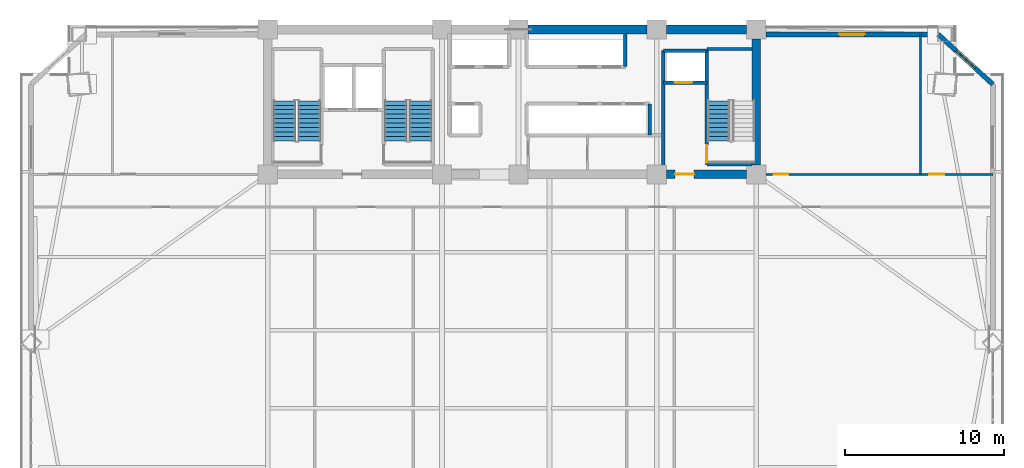
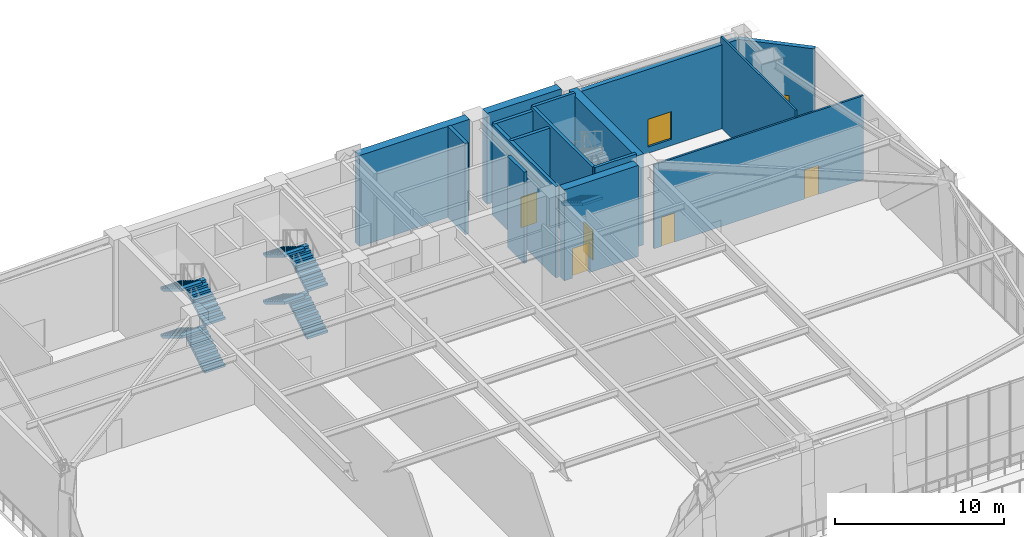
# One storey, part 16 of 22: 16 walls, 9 stair flights, 5 doors, 2 windows, 7 openings, 3 elements without a shape of their own.
"""IFC4 building model written with IfcOpenShell, lengths in metres."""

from ifc_helpers import new_model, si_unit, direction, frame, frame_2d, origin, place, context, subcontext, project, spatial, polyline, rectangle, outline, extrude, source, transform, mapped, material, layer, layer_set, type_object, element, fill, aggregate, save


model = new_model("IFC4")

# Units and contexts
model_context = context("Model", 3, precision=1e-05, world=origin(), true_north=direction((0.0, 1.0)))
body_context = subcontext(model_context, "Body", "Model", "MODEL_VIEW")
ifc_project = project(units=[si_unit("LENGTHUNIT", "METRE"), si_unit("AREAUNIT", "SQUARE_METRE"), si_unit("VOLUMEUNIT", "CUBIC_METRE"), si_unit("PLANEANGLEUNIT", "RADIAN"), si_unit("MASSUNIT", "GRAM", prefix="KILO")], contexts=[model_context])

# Site, building, storey
site_placement = place(None, origin())
site = spatial("IfcSite", under=ifc_project, at=site_placement, CompositionType="ELEMENT")
building_placement = place(site_placement, origin())
building = spatial("IfcBuilding", under=site, at=building_placement, Name="Giltprow Tower", CompositionType="ELEMENT")
storey_placement = place(building_placement, frame((0.0, 0.0, 130.89990234375)))
storey = spatial("IfcBuildingStorey", under=building, at=storey_placement, Name="L32", CompositionType="ELEMENT", Elevation=130.89990234375)

# Wall, opening, window
ifc_material_1 = material(Name="Precast concrete C40", Category="concrete")
ifc_layer_1 = layer(ifc_material_1, 0.300048828125, Name="Precast concrete C40")
ifc_layer_set_1 = layer_set([ifc_layer_1], Name="Precast concrete C40")
wall_type_1 = type_object("IfcWallType", Name="EW-NOTCH-CHAMFER-300", PredefinedType="SOLIDWALL", material=ifc_layer_set_1)
wall_1_placement = place(storey_placement, frame((65.4208984375, 43.10888671875, 0.0), z_axis=(0.0, 0.0, 1.0), x_axis=(-0.738549020912, 0.674199780265, 0.0)))
wall_1 = element("IfcWall", 1, at=wall_1_placement, inside=storey, type_object=wall_type_1, Name="L32 Corner Notch Wall NE", PredefinedType="SOLIDWALL", context=body_context, shape_type="SweptSolid", body=[
    extrude(rectangle(XDim=4.658935546875, YDim=0.300048828125, at=frame_2d((2.32958984375, 0.0))), origin(), (0.0, 0.0, 1.0), 6.050048828125),
])
opening_1_placement = place(wall_1_placement, frame((1.530029296875, 0.0, 0.449951171875)))
opening_1 = element("IfcOpeningElement", 2, at=opening_1_placement, cuts=wall_1, Name="Opening WN17", PredefinedType="OPENING", context=body_context, shape_type="SweptSolid", body=[
    extrude(rectangle(XDim=1.60009765625, YDim=2.0, at=frame_2d((0.800048828125, 1.0))), frame((0.0, 0.159912109375, 0.0), z_axis=(0.0, -1.0, 0.0), x_axis=(1.0, 0.0, 0.0)), (0.0, 0.0, 1.0), 0.320068359375),
])
ifc_material_2 = material(Name="Insulated glass", Category="glass")
window_type = type_object("IfcWindowType", Name="WN-COR-1600x2000", PartitioningType="SINGLE_PANEL", PredefinedType="WINDOW", material=ifc_material_2)
shared_shape_1 = source(origin(), body_context, "Body", "SweptSolid", [
    extrude(rectangle(XDim=1.60009765625, YDim=2.0, at=frame_2d((0.800048828125, 1.0))), frame((0.0, 0.030029296875, 0.0), z_axis=(0.0, -1.0, 0.0), x_axis=(1.0, 0.0, 0.0)), (0.0, 0.0, 1.0), 0.06005859375),
])
window_1_placement = place(opening_1_placement, origin())
window_1 = element("IfcWindow", 3, at=window_1_placement, inside=storey, type_object=window_type, Name="L32 Corner Notch Window NE", OverallHeight=2.0, OverallWidth=1.60009765625, PartitioningType="SINGLE_PANEL", PredefinedType="WINDOW", context=body_context, shape_type="MappedRepresentation", body=[
    mapped(shared_shape_1, transform((0.0, 0.0, 0.0), x_axis=(1.0, 0.0, 0.0), y_axis=(0.0, 1.0, 0.0), z_axis=(0.0, 0.0, 1.0), scale=1.0)),
])
fill(opening_1, window_1)

ifc_layer_2 = layer(ifc_material_1, 0.320068359375, Name="Precast concrete C40")
ifc_layer_set_2 = layer_set([ifc_layer_2], Name="Precast concrete C40")
wall_type_2 = type_object("IfcWallType", Name="EW-TOW-STONE-320", PredefinedType="SOLIDWALL", material=ifc_layer_set_2)
wall_2_placement = place(storey_placement, frame((51.14990234375, 46.25, 0.0), z_axis=(0.0, 0.0, 1.0), x_axis=(1.0, 0.0, 0.0)))
wall_2 = element("IfcWall", 4, at=wall_2_placement, inside=storey, type_object=wall_type_2, Name="L32 North-East Wing Wall", PredefinedType="SOLIDWALL", context=body_context, shape_type="SweptSolid", body=[
    extrude(rectangle(XDim=10.830078125, YDim=0.320068359375, at=frame_2d((5.4150390625, 0.0))), origin(), (0.0, 0.0, 1.0), 6.050048828125),
])
opening_2_placement = place(wall_2_placement, frame((4.614990234375, 0.0, 0.449951171875)))
opening_2 = element("IfcOpeningElement", 5, at=opening_2_placement, cuts=wall_2, Name="Opening WN17", PredefinedType="OPENING", context=body_context, shape_type="SweptSolid", body=[
    extrude(rectangle(XDim=1.60009765625, YDim=2.0, at=frame_2d((0.800048828125, 1.0))), frame((0.0, 0.169921875, 0.0), z_axis=(0.0, -1.0, 0.0), x_axis=(1.0, 0.0, 0.0)), (0.0, 0.0, 1.0), 0.340087890625),
])
window_2_placement = place(opening_2_placement, origin())
window_2 = element("IfcWindow", 6, at=window_2_placement, inside=storey, type_object=window_type, Name="L32 North-East Window", OverallHeight=2.0, OverallWidth=1.60009765625, PartitioningType="SINGLE_PANEL", PredefinedType="WINDOW", context=body_context, shape_type="MappedRepresentation", body=[
    mapped(shared_shape_1, transform((0.0, 0.0, 0.0), x_axis=(1.0, 0.0, 0.0), y_axis=(0.0, 1.0, 0.0), z_axis=(0.0, 0.0, 1.0), scale=1.0)),
])
fill(opening_2, window_2)

# Wall, opening, door
ifc_material_3 = material(Name="Concrete C40", Category="concrete")
ifc_layer_3 = layer(ifc_material_3, 0.219970703125, Name="Concrete C40")
ifc_layer_set_3 = layer_set([ifc_layer_3], Name="Concrete C40")
wall_type_3 = type_object("IfcWallType", Name="IW-SHAFT-220", PredefinedType="SOLIDWALL", material=ifc_layer_set_3)
wall_3_placement = place(storey_placement, frame((44.719970703125, 43.219970703125, 0.0), z_axis=(0.0, 0.0, 1.0), x_axis=(1.0, 0.0, 0.0)))
wall_3 = element("IfcWall", 7, at=wall_3_placement, inside=storey, type_object=wall_type_3, Name="L32 FFL2 Front Shaft Wall", PredefinedType="SOLIDWALL", context=body_context, shape_type="SweptSolid", body=[
    extrude(rectangle(XDim=2.719970703125, YDim=0.219970703125, at=frame_2d((1.35986328125, 0.0))), origin(), (0.0, 0.0, 1.0), 6.570068359375),
])
opening_3_placement = place(wall_3_placement, frame((0.699951171875, 0.0, 0.0)))
opening_3 = element("IfcOpeningElement", 8, at=opening_3_placement, cuts=wall_3, Name="Opening LD-11", PredefinedType="OPENING", context=body_context, shape_type="SweptSolid", body=[
    extrude(rectangle(XDim=1.10009765625, YDim=2.199951171875, at=frame_2d((0.550048828125, 1.10009765625))), frame((0.0, 0.119873046875, 0.0), z_axis=(0.0, -1.0, 0.0), x_axis=(1.0, 0.0, 0.0)), (0.0, 0.0, 1.0), 0.239990234375),
])
ifc_material_4 = material(Name="Stainless steel", Category="steel")
door_type_1 = type_object("IfcDoorType", Name="DR-LIFT-LD1100", OperationType="SLIDING_TO_LEFT", PredefinedType="DOOR", material=ifc_material_4)
shared_shape_2 = source(origin(), body_context, "Body", "SweptSolid", [
    extrude(rectangle(XDim=1.10009765625, YDim=2.199951171875, at=frame_2d((0.550048828125, 1.10009765625))), frame((0.0, 0.02490234375, 0.0), z_axis=(0.0, -1.0, 0.0), x_axis=(1.0, 0.0, 0.0)), (0.0, 0.0, 1.0), 0.050048828125),
])
door_1_placement = place(opening_3_placement, origin())
door_1 = element("IfcDoor", 9, at=door_1_placement, inside=storey, type_object=door_type_1, Name="L32 FFL2 Landing Door", OperationType="SLIDING_TO_LEFT", OverallHeight=2.199951171875, OverallWidth=1.10009765625, PredefinedType="DOOR", context=body_context, shape_type="MappedRepresentation", body=[
    mapped(shared_shape_2, transform((0.0, 0.0, 0.0), x_axis=(1.0, 0.0, 0.0), y_axis=(0.0, 1.0, 0.0), z_axis=(0.0, 0.0, 1.0), scale=1.0)),
])
fill(opening_3, door_1)

# Walls
wall_4_placement = place(storey_placement, frame((44.719970703125, 45.219970703125, 0.0), z_axis=(0.0, 0.0, 1.0), x_axis=(1.0, 0.0, 0.0)))
element("IfcWall", 10, at=wall_4_placement, inside=storey, type_object=wall_type_3, Name="L32 FFL2 Back Shaft Wall", PredefinedType="SOLIDWALL", context=body_context, shape_type="SweptSolid", body=[
    extrude(rectangle(XDim=2.719970703125, YDim=0.219970703125, at=frame_2d((1.35986328125, 0.0))), origin(), (0.0, 0.0, 1.0), 6.570068359375),
])
wall_5_placement = place(storey_placement, frame((44.719970703125, 37.705078125, 0.0), z_axis=(0.0, 0.0, 1.0), x_axis=(0.0, 1.0, 0.0)))
element("IfcWall", 11, at=wall_5_placement, inside=storey, type_object=wall_type_3, Name="L32 East Firefighting Lobby West Wall", PredefinedType="SOLIDWALL", context=body_context, shape_type="SweptSolid", body=[
    extrude(rectangle(XDim=7.514892578125, YDim=0.219970703125, at=frame_2d((3.75732421875, 0.0))), origin(), (0.0, 0.0, 1.0), 6.570068359375),
])
wall_6_placement = place(storey_placement, frame((42.320068359375, 44.219970703125, 0.0), z_axis=(0.0, 0.0, 1.0), x_axis=(0.0, 1.0, 0.0)))
element("IfcWall", 12, at=wall_6_placement, inside=storey, type_object=wall_type_3, Name="L32 North East Lift Shaft East Closure", PredefinedType="SOLIDWALL", context=body_context, shape_type="SweptSolid", body=[
    extrude(rectangle(XDim=2.074951171875, YDim=0.219970703125, at=frame_2d((1.03759765625, 0.0))), origin(), (0.0, 0.0, 1.0), 6.570068359375),
])
wall_7_placement = place(storey_placement, frame((43.85009765625, 39.919921875, 0.0), z_axis=(0.0, 0.0, 1.0), x_axis=(0.0, 1.0, 0.0)))
element("IfcWall", 13, at=wall_7_placement, inside=storey, type_object=wall_type_3, Name="L32 Lift Bank South-East Closure", PredefinedType="SOLIDWALL", context=body_context, shape_type="SweptSolid", body=[
    extrude(rectangle(XDim=1.9599609375, YDim=0.219970703125, at=frame_2d((0.97998046875, 0.0))), origin(), (0.0, 0.0, 1.0), 6.570068359375),
])

# Wall, opening, door
ifc_layer_4 = layer(ifc_material_3, 0.199951171875, Name="Concrete C40")
ifc_layer_set_4 = layer_set([ifc_layer_4], Name="Concrete C40")
wall_type_4 = type_object("IfcWallType", Name="IW-STAIR-200", PredefinedType="SOLIDWALL", material=ifc_layer_set_4)
wall_8_placement = place(storey_placement, frame((47.43994140625, 38.070068359375, 0.0), z_axis=(0.0, 0.0, 1.0), x_axis=(0.0, 1.0, 0.0)))
wall_8 = element("IfcWall", 14, at=wall_8_placement, inside=storey, type_object=wall_type_4, Name="L32 Stair ST-3 West Bearing Wall", PredefinedType="SOLIDWALL", context=body_context, shape_type="SweptSolid", body=[
    extrude(rectangle(XDim=7.25, YDim=0.199951171875, at=frame_2d((3.625, 0.0))), origin(), (0.0, 0.0, 1.0), 6.800048828125),
])
opening_4_placement = place(wall_8_placement, frame((0.110107421875, 0.0, 0.0)))
opening_4 = element("IfcOpeningElement", 15, at=opening_4_placement, cuts=wall_8, Name="Opening ID33", PredefinedType="OPENING", context=body_context, shape_type="SweptSolid", body=[
    extrude(rectangle(XDim=1.10009765625, YDim=2.14990234375, at=frame_2d((0.550048828125, 1.074951171875))), frame((0.0, 0.10986328125, 0.0), z_axis=(0.0, -1.0, 0.0), x_axis=(1.0, 0.0, 0.0)), (0.0, 0.0, 1.0), 0.219970703125),
])
ifc_material_5 = material(Name="Steel fire leaf", Category="steel")
door_type_2 = type_object("IfcDoorType", Name="DR-STAIR-1100", OperationType="SINGLE_SWING_LEFT", PredefinedType="DOOR", material=ifc_material_5)
shared_shape_3 = source(origin(), body_context, "Body", "SweptSolid", [
    extrude(rectangle(XDim=1.10009765625, YDim=2.14990234375, at=frame_2d((0.550048828125, 1.074951171875))), frame((0.0, 0.02490234375, 0.0), z_axis=(0.0, -1.0, 0.0), x_axis=(1.0, 0.0, 0.0)), (0.0, 0.0, 1.0), 0.050048828125),
])
door_2_placement = place(opening_4_placement, origin())
door_2 = element("IfcDoor", 16, at=door_2_placement, inside=storey, type_object=door_type_2, Name="L32 Stair ST-3 Fire Door", OperationType="SINGLE_SWING_RIGHT", OverallHeight=2.14990234375, OverallWidth=1.10009765625, PredefinedType="DOOR", context=body_context, shape_type="MappedRepresentation", body=[
    mapped(shared_shape_3, transform((0.0, 0.0, 0.0), x_axis=(1.0, 0.0, 0.0), y_axis=(0.0, 1.0, 0.0), z_axis=(0.0, 0.0, 1.0), scale=1.0)),
])
fill(opening_4, door_2)

# Walls
for number, where, z_axis, x_axis, name in (
    (17, (47.43994140625, 45.320068359375, 0.0), (0.0, 0.0, 1.0), (1.0, 0.0, 0.0), "L32 Stair ST-3 North Bearing Wall"),
    (18, (47.43994140625, 38.070068359375, 0.0), (0.0, 0.0, 1.0), (1.0, 0.0, 0.0), "L32 Stair ST-3 South Bearing Wall"),
):
    element("IfcWall", number, at=place(storey_placement, frame(where, z_axis=z_axis, x_axis=x_axis)), inside=storey, type_object=wall_type_4, Name=name, PredefinedType="SOLIDWALL", context=body_context, shape_type="SweptSolid", body=[
        extrude(rectangle(XDim=2.85498046875, YDim=0.199951171875, at=frame_2d((1.427490234375, 0.0))), origin(), (0.0, 0.0, 1.0), 6.800048828125),
    ])

# Wall, openings, doors
ifc_material_6 = material(Name="Concrete C30", Category="concrete")
ifc_layer_5 = layer(ifc_material_6, 0.1298828125, Name="Concrete C30")
ifc_layer_set_5 = layer_set([ifc_layer_5], Name="Concrete C30")
wall_type_5 = type_object("IfcWallType", Name="IW-WET-130", PredefinedType="PARTITIONING", material=ifc_layer_set_5)
wall_9_placement = place(storey_placement, frame((51.14990234375, 37.449951171875, 0.0), z_axis=(0.0, 0.0, 1.0), x_axis=(1.0, 0.0, 0.0)))
wall_9 = element("IfcWall", 19, at=wall_9_placement, inside=storey, type_object=wall_type_5, Name="L32 NE Wing South Wall", PredefinedType="PARTITIONING", context=body_context, shape_type="SweptSolid", body=[
    extrude(rectangle(XDim=14.27099609375, YDim=0.1298828125, at=frame_2d((7.135498046875, 0.0))), origin(), (0.0, 0.0, 1.0), 6.05517578125),
])
opening_5_placement = place(wall_9_placement, frame((0.5, 0.0, 0.0)))
opening_5 = element("IfcOpeningElement", 20, at=opening_5_placement, cuts=wall_9, Name="Opening ID15", PredefinedType="OPENING", context=body_context, shape_type="SweptSolid", body=[
    extrude(rectangle(XDim=0.89990234375, YDim=2.10009765625, at=frame_2d((0.449951171875, 1.050048828125))), frame((0.0, 0.074951171875, 0.0), z_axis=(0.0, -1.0, 0.0), x_axis=(1.0, 0.0, 0.0)), (0.0, 0.0, 1.0), 0.14990234375),
])
opening_6_placement = place(wall_9_placement, frame((10.264892578125, 0.0, 0.0)))
opening_6 = element("IfcOpeningElement", 21, at=opening_6_placement, cuts=wall_9, Name="Opening ID11", PredefinedType="OPENING", context=body_context, shape_type="SweptSolid", body=[
    extrude(rectangle(XDim=0.949951171875, YDim=2.10009765625, at=frame_2d((0.47509765625, 1.050048828125))), frame((0.0, 0.074951171875, 0.0), z_axis=(0.0, -1.0, 0.0), x_axis=(1.0, 0.0, 0.0)), (0.0, 0.0, 1.0), 0.14990234375),
])
ifc_material_7 = material(Name="Engineered timber", Category="wood")
door_type_3 = type_object("IfcDoorType", Name="DR-WC-900", OperationType="SINGLE_SWING_LEFT", PredefinedType="DOOR", material=ifc_material_7)
shared_shape_4 = source(origin(), body_context, "Body", "SweptSolid", [
    extrude(rectangle(XDim=0.89990234375, YDim=2.10009765625, at=frame_2d((0.449951171875, 1.050048828125))), frame((0.0, 0.02490234375, 0.0), z_axis=(0.0, -1.0, 0.0), x_axis=(1.0, 0.0, 0.0)), (0.0, 0.0, 1.0), 0.050048828125),
])
door_3_placement = place(opening_5_placement, origin())
door_3 = element("IfcDoor", 22, at=door_3_placement, inside=storey, type_object=door_type_3, Name="L32 East Wing Washroom Door", OperationType="SINGLE_SWING_RIGHT", OverallHeight=2.10009765625, OverallWidth=0.89990234375, PredefinedType="DOOR", context=body_context, shape_type="MappedRepresentation", body=[
    mapped(shared_shape_4, transform((0.0, 0.0, 0.0), x_axis=(1.0, 0.0, 0.0), y_axis=(0.0, 1.0, 0.0), z_axis=(0.0, 0.0, 1.0), scale=1.0)),
])
fill(opening_5, door_3)
door_type_4 = type_object("IfcDoorType", Name="DR-ROOM-950", OperationType="SINGLE_SWING_RIGHT", PredefinedType="DOOR", material=ifc_material_7)
shared_shape_5 = source(origin(), body_context, "Body", "SweptSolid", [
    extrude(rectangle(XDim=0.949951171875, YDim=2.10009765625, at=frame_2d((0.47509765625, 1.050048828125))), frame((0.0, 0.02490234375, 0.0), z_axis=(0.0, -1.0, 0.0), x_axis=(1.0, 0.0, 0.0)), (0.0, 0.0, 1.0), 0.050048828125),
])
door_4_placement = place(opening_6_placement, origin())
door_4 = element("IfcDoor", 23, at=door_4_placement, inside=storey, type_object=door_type_4, Name="L32 Conservatory Lounge Study Door", OperationType="SINGLE_SWING_LEFT", OverallHeight=2.10009765625, OverallWidth=0.949951171875, PredefinedType="DOOR", context=body_context, shape_type="MappedRepresentation", body=[
    mapped(shared_shape_5, transform((0.0, 0.0, 0.0), x_axis=(1.0, 0.0, 0.0), y_axis=(0.0, 1.0, 0.0), z_axis=(0.0, 0.0, 1.0), scale=1.0)),
])
fill(opening_6, door_4)

# Walls
wall_10_placement = place(storey_placement, frame((60.864990234375, 37.449951171875, 0.0), z_axis=(0.0, 0.0, 1.0), x_axis=(0.0, 1.0, 0.0)))
element("IfcWall", 24, at=wall_10_placement, inside=storey, type_object=wall_type_5, Name="L32 NE Wing Divider", PredefinedType="PARTITIONING", context=body_context, shape_type="SweptSolid", body=[
    extrude(rectangle(XDim=8.800048828125, YDim=0.1298828125, at=frame_2d((4.39990234375, 0.0))), origin(), (0.0, 0.0, 1.0), 6.570068359375),
])
ifc_material_8 = material(Name="Concrete C60", Category="concrete")
ifc_layer_6 = layer(ifc_material_8, 0.550048828125, Name="Concrete C60")
ifc_layer_set_6 = layer_set([ifc_layer_6], Name="Concrete C60")
wall_type_6 = type_object("IfcWallType", Name="SW-EXT-550-C60", PredefinedType="SHEAR", material=ifc_layer_set_6)
wall_11_placement = place(storey_placement, frame((36.199951171875, 46.550048828125, 0.0), z_axis=(0.0, 0.0, 1.0), x_axis=(1.0, 0.0, 0.0)))
element("IfcWall", 25, at=wall_11_placement, inside=storey, type_object=wall_type_6, Name="L32 North Rear Core Shear Wall 3", PredefinedType="SHEAR", context=body_context, shape_type="SweptSolid", body=[
    extrude(rectangle(XDim=7.5, YDim=0.550048828125, at=frame_2d((3.75, 0.0))), origin(), (0.0, 0.0, 1.0), 6.570068359375),
])
wall_12_placement = place(storey_placement, frame((44.89990234375, 46.550048828125, 0.0), z_axis=(0.0, 0.0, 1.0), x_axis=(1.0, 0.0, 0.0)))
element("IfcWall", 26, at=wall_12_placement, inside=storey, type_object=wall_type_6, Name="L32 North Rear Core Shear Wall 4", PredefinedType="SHEAR", context=body_context, shape_type="SweptSolid", body=[
    extrude(rectangle(XDim=5.050048828125, YDim=0.550048828125, at=frame_2d((2.52490234375, 0.0))), origin(), (0.0, 0.0, 1.0), 6.570068359375),
])

# Wall, opening, door
ifc_layer_7 = layer(ifc_material_8, 0.550048828125, Name="Concrete C60")
ifc_layer_set_7 = layer_set([ifc_layer_7], Name="Concrete C60")
wall_type_7 = type_object("IfcWallType", Name="SW-INT-550-C60", PredefinedType="SHEAR", material=ifc_layer_set_7)
wall_13_placement = place(storey_placement, frame((44.89990234375, 37.449951171875, 0.0), z_axis=(0.0, 0.0, 1.0), x_axis=(1.0, 0.0, 0.0)))
wall_13 = element("IfcWall", 27, at=wall_13_placement, inside=storey, type_object=wall_type_7, Name="L32 South Rear Core Shear Wall East", PredefinedType="SHEAR", context=body_context, shape_type="SweptSolid", body=[
    extrude(rectangle(XDim=5.050048828125, YDim=0.550048828125, at=frame_2d((2.52490234375, 0.0))), origin(), (0.0, 0.0, 1.0), 6.570068359375),
])
opening_7_placement = place(wall_13_placement, frame((0.550048828125, 0.0, 0.0)))
opening_7 = element("IfcOpeningElement", 28, at=opening_7_placement, cuts=wall_13, Name="Opening ID19", PredefinedType="OPENING", context=body_context, shape_type="SweptSolid", body=[
    extrude(rectangle(XDim=1.199951171875, YDim=2.14990234375, at=frame_2d((0.60009765625, 1.074951171875))), frame((0.0, 0.284912109375, 0.0), z_axis=(0.0, -1.0, 0.0), x_axis=(1.0, 0.0, 0.0)), (0.0, 0.0, 1.0), 0.570068359375),
])
door_type_5 = type_object("IfcDoorType", Name="DR-FFLOBBY-1200", OperationType="SINGLE_SWING_RIGHT", PredefinedType="DOOR", material=ifc_material_5)
shared_shape_6 = source(origin(), body_context, "Body", "SweptSolid", [
    extrude(rectangle(XDim=1.199951171875, YDim=2.14990234375, at=frame_2d((0.60009765625, 1.074951171875))), frame((0.0, 0.02490234375, 0.0), z_axis=(0.0, -1.0, 0.0), x_axis=(1.0, 0.0, 0.0)), (0.0, 0.0, 1.0), 0.050048828125),
])
door_5_placement = place(opening_7_placement, origin())
door_5 = element("IfcDoor", 29, at=door_5_placement, inside=storey, type_object=door_type_5, Name="L32 East Firefighting Lobby Entry Door", OperationType="SINGLE_SWING_RIGHT", OverallHeight=2.14990234375, OverallWidth=1.199951171875, PredefinedType="DOOR", context=body_context, shape_type="MappedRepresentation", body=[
    mapped(shared_shape_6, transform((0.0, 0.0, 0.0), x_axis=(1.0, 0.0, 0.0), y_axis=(0.0, 1.0, 0.0), z_axis=(0.0, 0.0, 1.0), scale=1.0)),
])
fill(opening_7, door_5)

# Wall
wall_14_placement = place(storey_placement, frame((50.550048828125, 38.050048828125, 0.0), z_axis=(0.0, 0.0, 1.0), x_axis=(0.0, 1.0, 0.0)))
element("IfcWall", 30, at=wall_14_placement, inside=storey, type_object=wall_type_7, Name="L32 E Rear Core Shear Wall", PredefinedType="SHEAR", context=body_context, shape_type="SweptSolid", body=[
    extrude(rectangle(XDim=7.89990234375, YDim=0.550048828125, at=frame_2d((3.949951171875, 0.0))), origin(), (0.0, 0.0, 1.0), 6.570068359375),
])

# Stair, stair flights
stair_type_1 = type_object("IfcStairType", Name="STR-ST-1", PredefinedType="HALF_TURN_STAIR", material=ifc_material_3)
stair_1_placement = place(storey_placement, origin())
stair_1 = element("IfcStair", 31, at=stair_1_placement, inside=storey, type_object=stair_type_1, Name="L32 Core Exit Stair ST-1", PredefinedType="HALF_TURN_STAIR")
stair_flight_type_1 = type_object("IfcStairFlightType", Name="SFL-ST-1", PredefinedType="STRAIGHT", material=ifc_material_3)
stair_flight_1_placement = place(storey_placement, frame((22.4599609375, 39.550048828125, 0.0), z_axis=(0.0, 0.0, 1.0), x_axis=(0.0, 1.0, 0.0)))
stair_flight_1 = element("IfcStairFlight", 32, at=stair_flight_1_placement, type_object=stair_flight_type_1, Name="ST-1 flight 1", NumberOfRisers=10, NumberOfTreads=9, PredefinedType="STRAIGHT", RiserHeight=0.17, TreadLength=0.28, context=body_context, shape_type="SweptSolid", body=[
    extrude(outline(polyline([(0.0, 0.0), (0.0, 0.169921875), (0.280029296875, 0.169921875), (0.280029296875, 0.340087890625), (0.56005859375, 0.340087890625), (0.56005859375, 0.510009765625), (0.840087890625, 0.510009765625), (0.840087890625, 0.679931640625), (1.1201171875, 0.679931640625), (1.1201171875, 0.85009765625), (1.39990234375, 0.85009765625), (1.39990234375, 1.02001953125), (1.679931640625, 1.02001953125), (1.679931640625, 1.18994140625), (1.9599609375, 1.18994140625), (1.9599609375, 1.360107421875), (2.239990234375, 1.360107421875), (2.239990234375, 1.530029296875), (2.52001953125, 1.530029296875), (2.52001953125, 1.699951171875), (2.52001953125, 1.354736328125), (0.288818359375, 0.0), (0.0, 0.0)])), frame((0.0, 0.699951171875, 0.0), z_axis=(0.0, -1.0, 0.0), x_axis=(1.0, 0.0, 0.0)), (0.0, 0.0, 1.0), 1.39990234375),
])
stair_flight_2_placement = place(storey_placement, frame((20.89990234375, 42.070068359375, 1.7001953125), z_axis=(0.0, 0.0, 1.0), x_axis=(0.0, -1.0, 0.0)))
stair_flight_2 = element("IfcStairFlight", 33, at=stair_flight_2_placement, type_object=stair_flight_type_1, Name="ST-1 flight 2", NumberOfRisers=10, NumberOfTreads=9, PredefinedType="STRAIGHT", RiserHeight=0.17, TreadLength=0.28, context=body_context, shape_type="SweptSolid", body=[
    extrude(outline(polyline([(0.0, 0.0), (0.0, 0.169921875), (0.280029296875, 0.169921875), (0.280029296875, 0.340087890625), (0.56005859375, 0.340087890625), (0.56005859375, 0.510009765625), (0.840087890625, 0.510009765625), (0.840087890625, 0.679931640625), (1.1201171875, 0.679931640625), (1.1201171875, 0.85009765625), (1.39990234375, 0.85009765625), (1.39990234375, 1.02001953125), (1.679931640625, 1.02001953125), (1.679931640625, 1.18994140625), (1.9599609375, 1.18994140625), (1.9599609375, 1.360107421875), (2.239990234375, 1.360107421875), (2.239990234375, 1.530029296875), (2.52001953125, 1.530029296875), (2.52001953125, 1.699951171875), (2.52001953125, 1.354736328125), (0.288818359375, 0.0), (0.0, 0.0)])), frame((0.0, 0.699951171875, 0.0), z_axis=(0.0, -1.0, 0.0), x_axis=(1.0, 0.0, 0.0)), (0.0, 0.0, 1.0), 1.39990234375),
])
stair_flight_3_placement = place(storey_placement, frame((22.4599609375, 39.550048828125, 3.400146484375), z_axis=(0.0, 0.0, 1.0), x_axis=(0.0, 1.0, 0.0)))
stair_flight_3 = element("IfcStairFlight", 34, at=stair_flight_3_placement, type_object=stair_flight_type_1, Name="ST-1 flight 3", NumberOfRisers=10, NumberOfTreads=9, PredefinedType="STRAIGHT", RiserHeight=0.17, TreadLength=0.28, context=body_context, shape_type="SweptSolid", body=[
    extrude(outline(polyline([(0.0, 0.0), (0.0, 0.169921875), (0.280029296875, 0.169921875), (0.280029296875, 0.340087890625), (0.56005859375, 0.340087890625), (0.56005859375, 0.510009765625), (0.840087890625, 0.510009765625), (0.840087890625, 0.679931640625), (1.1201171875, 0.679931640625), (1.1201171875, 0.85009765625), (1.39990234375, 0.85009765625), (1.39990234375, 1.02001953125), (1.679931640625, 1.02001953125), (1.679931640625, 1.18994140625), (1.9599609375, 1.18994140625), (1.9599609375, 1.360107421875), (2.239990234375, 1.360107421875), (2.239990234375, 1.530029296875), (2.52001953125, 1.530029296875), (2.52001953125, 1.699951171875), (2.52001953125, 1.354736328125), (0.288818359375, 0.0), (0.0, 0.0)])), frame((0.0, 0.699951171875, 0.0), z_axis=(0.0, -1.0, 0.0), x_axis=(1.0, 0.0, 0.0)), (0.0, 0.0, 1.0), 1.39990234375),
])
stair_flight_4_placement = place(storey_placement, frame((20.89990234375, 42.070068359375, 5.10009765625), z_axis=(0.0, 0.0, 1.0), x_axis=(0.0, -1.0, 0.0)))
stair_flight_4 = element("IfcStairFlight", 35, at=stair_flight_4_placement, type_object=stair_flight_type_1, Name="ST-1 flight 4", NumberOfRisers=10, NumberOfTreads=9, PredefinedType="STRAIGHT", RiserHeight=0.17, TreadLength=0.28, context=body_context, shape_type="SweptSolid", body=[
    extrude(outline(polyline([(0.0, 0.0), (0.0, 0.169921875), (0.280029296875, 0.169921875), (0.280029296875, 0.340087890625), (0.56005859375, 0.340087890625), (0.56005859375, 0.510009765625), (0.840087890625, 0.510009765625), (0.840087890625, 0.679931640625), (1.1201171875, 0.679931640625), (1.1201171875, 0.85009765625), (1.39990234375, 0.85009765625), (1.39990234375, 1.02001953125), (1.679931640625, 1.02001953125), (1.679931640625, 1.18994140625), (1.9599609375, 1.18994140625), (1.9599609375, 1.360107421875), (2.239990234375, 1.360107421875), (2.239990234375, 1.530029296875), (2.52001953125, 1.530029296875), (2.52001953125, 1.699951171875), (2.52001953125, 1.354736328125), (0.288818359375, 0.0), (0.0, 0.0)])), frame((0.0, 0.699951171875, 0.0), z_axis=(0.0, -1.0, 0.0), x_axis=(1.0, 0.0, 0.0)), (0.0, 0.0, 1.0), 1.39990234375),
])
aggregate(stair_1, [stair_flight_1, stair_flight_2, stair_flight_3, stair_flight_4])

stair_type_2 = type_object("IfcStairType", Name="STR-ST-2", PredefinedType="HALF_TURN_STAIR", material=ifc_material_3)
stair_2_placement = place(storey_placement, origin())
stair_2 = element("IfcStair", 36, at=stair_2_placement, inside=storey, type_object=stair_type_2, Name="L32 Core Exit Stair ST-2", PredefinedType="HALF_TURN_STAIR")
stair_flight_type_2 = type_object("IfcStairFlightType", Name="SFL-ST-2", PredefinedType="STRAIGHT", material=ifc_material_3)
stair_flight_5_placement = place(storey_placement, frame((29.4599609375, 39.550048828125, 0.0), z_axis=(0.0, 0.0, 1.0), x_axis=(0.0, 1.0, 0.0)))
stair_flight_5 = element("IfcStairFlight", 37, at=stair_flight_5_placement, type_object=stair_flight_type_2, Name="ST-2 flight 1", NumberOfRisers=10, NumberOfTreads=9, PredefinedType="STRAIGHT", RiserHeight=0.17, TreadLength=0.28, context=body_context, shape_type="SweptSolid", body=[
    extrude(outline(polyline([(0.0, 0.0), (0.0, 0.169921875), (0.280029296875, 0.169921875), (0.280029296875, 0.340087890625), (0.56005859375, 0.340087890625), (0.56005859375, 0.510009765625), (0.840087890625, 0.510009765625), (0.840087890625, 0.679931640625), (1.1201171875, 0.679931640625), (1.1201171875, 0.85009765625), (1.39990234375, 0.85009765625), (1.39990234375, 1.02001953125), (1.679931640625, 1.02001953125), (1.679931640625, 1.18994140625), (1.9599609375, 1.18994140625), (1.9599609375, 1.360107421875), (2.239990234375, 1.360107421875), (2.239990234375, 1.530029296875), (2.52001953125, 1.530029296875), (2.52001953125, 1.699951171875), (2.52001953125, 1.354736328125), (0.288818359375, 0.0), (0.0, 0.0)])), frame((0.0, 0.699951171875, 0.0), z_axis=(0.0, -1.0, 0.0), x_axis=(1.0, 0.0, 0.0)), (0.0, 0.0, 1.0), 1.39990234375),
])
stair_flight_6_placement = place(storey_placement, frame((27.89990234375, 42.070068359375, 1.7001953125), z_axis=(0.0, 0.0, 1.0), x_axis=(0.0, -1.0, 0.0)))
stair_flight_6 = element("IfcStairFlight", 38, at=stair_flight_6_placement, type_object=stair_flight_type_2, Name="ST-2 flight 2", NumberOfRisers=10, NumberOfTreads=9, PredefinedType="STRAIGHT", RiserHeight=0.17, TreadLength=0.28, context=body_context, shape_type="SweptSolid", body=[
    extrude(outline(polyline([(0.0, 0.0), (0.0, 0.169921875), (0.280029296875, 0.169921875), (0.280029296875, 0.340087890625), (0.56005859375, 0.340087890625), (0.56005859375, 0.510009765625), (0.840087890625, 0.510009765625), (0.840087890625, 0.679931640625), (1.1201171875, 0.679931640625), (1.1201171875, 0.85009765625), (1.39990234375, 0.85009765625), (1.39990234375, 1.02001953125), (1.679931640625, 1.02001953125), (1.679931640625, 1.18994140625), (1.9599609375, 1.18994140625), (1.9599609375, 1.360107421875), (2.239990234375, 1.360107421875), (2.239990234375, 1.530029296875), (2.52001953125, 1.530029296875), (2.52001953125, 1.699951171875), (2.52001953125, 1.354736328125), (0.288818359375, 0.0), (0.0, 0.0)])), frame((0.0, 0.699951171875, 0.0), z_axis=(0.0, -1.0, 0.0), x_axis=(1.0, 0.0, 0.0)), (0.0, 0.0, 1.0), 1.39990234375),
])
stair_flight_7_placement = place(storey_placement, frame((29.4599609375, 39.550048828125, 3.400146484375), z_axis=(0.0, 0.0, 1.0), x_axis=(0.0, 1.0, 0.0)))
stair_flight_7 = element("IfcStairFlight", 39, at=stair_flight_7_placement, type_object=stair_flight_type_2, Name="ST-2 flight 3", NumberOfRisers=10, NumberOfTreads=9, PredefinedType="STRAIGHT", RiserHeight=0.17, TreadLength=0.28, context=body_context, shape_type="SweptSolid", body=[
    extrude(outline(polyline([(0.0, 0.0), (0.0, 0.169921875), (0.280029296875, 0.169921875), (0.280029296875, 0.340087890625), (0.56005859375, 0.340087890625), (0.56005859375, 0.510009765625), (0.840087890625, 0.510009765625), (0.840087890625, 0.679931640625), (1.1201171875, 0.679931640625), (1.1201171875, 0.85009765625), (1.39990234375, 0.85009765625), (1.39990234375, 1.02001953125), (1.679931640625, 1.02001953125), (1.679931640625, 1.18994140625), (1.9599609375, 1.18994140625), (1.9599609375, 1.360107421875), (2.239990234375, 1.360107421875), (2.239990234375, 1.530029296875), (2.52001953125, 1.530029296875), (2.52001953125, 1.699951171875), (2.52001953125, 1.354736328125), (0.288818359375, 0.0), (0.0, 0.0)])), frame((0.0, 0.699951171875, 0.0), z_axis=(0.0, -1.0, 0.0), x_axis=(1.0, 0.0, 0.0)), (0.0, 0.0, 1.0), 1.39990234375),
])
stair_flight_8_placement = place(storey_placement, frame((27.89990234375, 42.070068359375, 5.10009765625), z_axis=(0.0, 0.0, 1.0), x_axis=(0.0, -1.0, 0.0)))
stair_flight_8 = element("IfcStairFlight", 40, at=stair_flight_8_placement, type_object=stair_flight_type_2, Name="ST-2 flight 4", NumberOfRisers=10, NumberOfTreads=9, PredefinedType="STRAIGHT", RiserHeight=0.17, TreadLength=0.28, context=body_context, shape_type="SweptSolid", body=[
    extrude(outline(polyline([(0.0, 0.0), (0.0, 0.169921875), (0.280029296875, 0.169921875), (0.280029296875, 0.340087890625), (0.56005859375, 0.340087890625), (0.56005859375, 0.510009765625), (0.840087890625, 0.510009765625), (0.840087890625, 0.679931640625), (1.1201171875, 0.679931640625), (1.1201171875, 0.85009765625), (1.39990234375, 0.85009765625), (1.39990234375, 1.02001953125), (1.679931640625, 1.02001953125), (1.679931640625, 1.18994140625), (1.9599609375, 1.18994140625), (1.9599609375, 1.360107421875), (2.239990234375, 1.360107421875), (2.239990234375, 1.530029296875), (2.52001953125, 1.530029296875), (2.52001953125, 1.699951171875), (2.52001953125, 1.354736328125), (0.288818359375, 0.0), (0.0, 0.0)])), frame((0.0, 0.699951171875, 0.0), z_axis=(0.0, -1.0, 0.0), x_axis=(1.0, 0.0, 0.0)), (0.0, 0.0, 1.0), 1.39990234375),
])
aggregate(stair_2, [stair_flight_5, stair_flight_6, stair_flight_7, stair_flight_8])

# Stair, stair flight
stair_type_3 = type_object("IfcStairType", Name="STR-ST-3", PredefinedType="HALF_TURN_STAIR", material=ifc_material_3)
stair_3_placement = place(storey_placement, origin())
stair_3 = element("IfcStair", 41, at=stair_3_placement, inside=storey, type_object=stair_type_3, Name="L32 Core Exit Stair ST-3", PredefinedType="HALF_TURN_STAIR")
stair_flight_type_3 = type_object("IfcStairFlightType", Name="SFL-ST-3", PredefinedType="STRAIGHT", material=ifc_material_3)
stair_flight_9_placement = place(storey_placement, frame((48.199951171875, 42.070068359375, 1.7001953125), z_axis=(0.0, 0.0, 1.0), x_axis=(0.0, -1.0, 0.0)))
stair_flight_9 = element("IfcStairFlight", 42, at=stair_flight_9_placement, type_object=stair_flight_type_3, Name="ST-3 flight 2", NumberOfRisers=10, NumberOfTreads=9, PredefinedType="STRAIGHT", RiserHeight=0.17, TreadLength=0.28, context=body_context, shape_type="SweptSolid", body=[
    extrude(outline(polyline([(0.0, 0.0), (0.0, 0.169921875), (0.280029296875, 0.169921875), (0.280029296875, 0.340087890625), (0.56005859375, 0.340087890625), (0.56005859375, 0.510009765625), (0.840087890625, 0.510009765625), (0.840087890625, 0.679931640625), (1.1201171875, 0.679931640625), (1.1201171875, 0.85009765625), (1.39990234375, 0.85009765625), (1.39990234375, 1.02001953125), (1.679931640625, 1.02001953125), (1.679931640625, 1.18994140625), (1.9599609375, 1.18994140625), (1.9599609375, 1.360107421875), (2.239990234375, 1.360107421875), (2.239990234375, 1.530029296875), (2.52001953125, 1.530029296875), (2.52001953125, 1.699951171875), (2.52001953125, 1.354736328125), (0.288818359375, 0.0), (0.0, 0.0)])), frame((0.0, 0.699951171875, 0.0), z_axis=(0.0, -1.0, 0.0), x_axis=(1.0, 0.0, 0.0)), (0.0, 0.0, 1.0), 1.39990234375),
])
aggregate(stair_3, [stair_flight_9])

save(model, "model.ifc")
